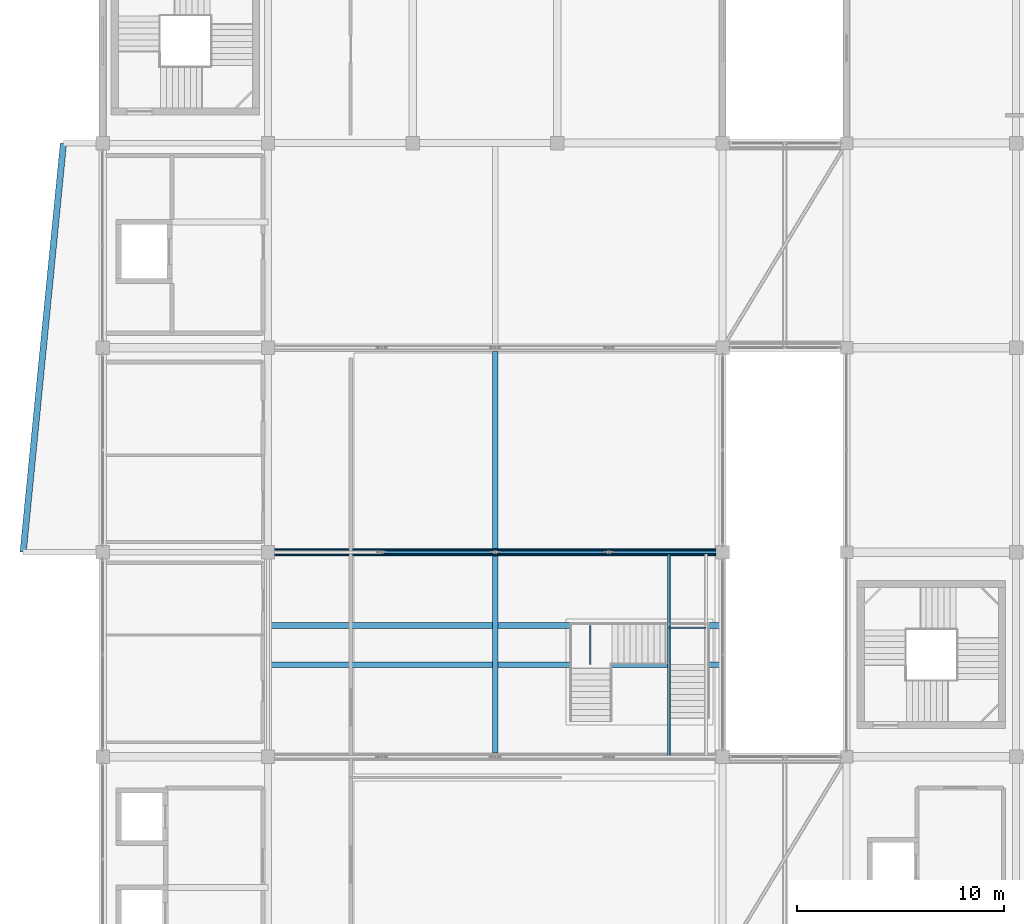
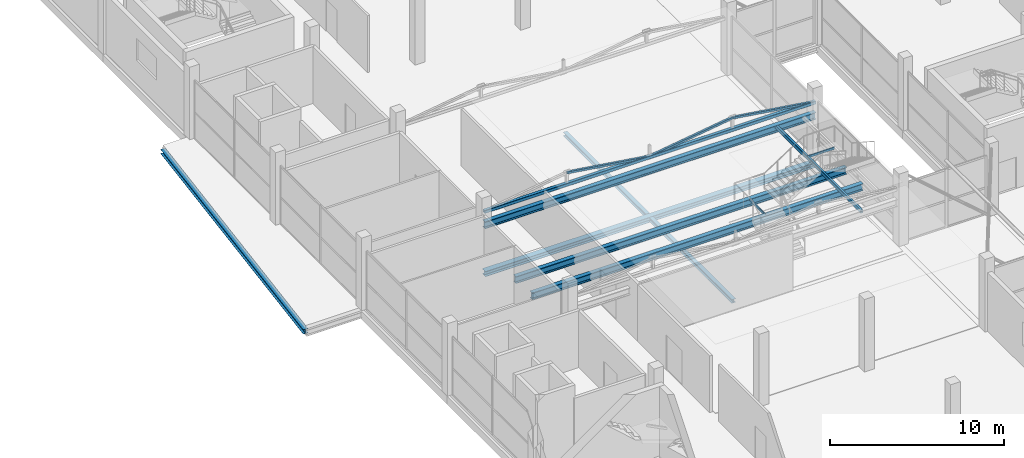
# One storey, part 24 of 66: 10 beams, 4 members.
"""IFC4 building model written with IfcOpenShell, lengths in metres."""

from ifc_helpers import new_model, si_unit, direction, frame, origin, origin_2d, place, context, subcontext, project, spatial, hollow_rectangle, i_section, extrude, material, material_profile, profile_set, type_object, element, save


model = new_model("IFC4")

# Units and contexts
model_context = context("Model", 3, precision=1e-05, world=origin(), true_north=direction((0.0, 1.0)))
body_context = subcontext(model_context, "Body", "Model", "MODEL_VIEW")
ifc_project = project(units=[si_unit("LENGTHUNIT", "METRE"), si_unit("AREAUNIT", "SQUARE_METRE"), si_unit("VOLUMEUNIT", "CUBIC_METRE"), si_unit("PLANEANGLEUNIT", "RADIAN"), si_unit("MASSUNIT", "GRAM", prefix="KILO")], contexts=[model_context])

# Site, building, storey
site_placement = place(None, origin())
site = spatial("IfcSite", under=ifc_project, at=site_placement, CompositionType="ELEMENT")
building_placement = place(site_placement, origin())
building = spatial("IfcBuilding", under=site, at=building_placement, Name="Sillaruma Civic Art Gallery", CompositionType="ELEMENT")
storey_placement = place(building_placement, frame((0.0, 0.0, 57.1201171875)))
storey = spatial("IfcBuildingStorey", under=building, at=storey_placement, Name="L11", CompositionType="ELEMENT", Elevation=57.1201171875)

# Beams
ifc_material_1 = material(Name="Structural Steel ASTM A500 Gr.C", Category="steel")
ifc_material_profile_1 = material_profile(ifc_material_1, hollow_rectangle(XDim=0.080078125, YDim=0.159912109375, WallThickness=0.008056640625, InnerFilletRadius=0.008056640625, OuterFilletRadius=0.01611328125, at=origin_2d()), Name="HSS160x80x8")
ifc_profile_set_1 = profile_set([ifc_material_profile_1], Name="Structural Steel ASTM A500 Gr.C")
beam_type_1 = type_object("IfcBeamType", Name="BM-FS-HSS160", PredefinedType="BEAM", material=ifc_profile_set_1)
beam_1_placement = place(storey_placement, frame((85.60009765625, 53.9599609375, 1.434814453125), z_axis=(0.0, 1.0, 0.0), x_axis=(-1.0, 0.0, 0.0)))
element("IfcBeam", 1, at=beam_1_placement, inside=storey, type_object=beam_type_1, Name="Feature Stair L1 Spreader (ST-G07)", PredefinedType="BEAM", context=body_context, shape_type="SweptSolid", body=[
    extrude(hollow_rectangle(XDim=0.080078125, YDim=0.159912109375, WallThickness=0.008056640625, InnerFilletRadius=0.008056640625, OuterFilletRadius=0.01611328125, at=origin_2d()), origin(), (0.0, 0.0, 1.0), 1.89013671875),
])
beam_2_placement = place(storey_placement, frame((89.39990234375, 55.75, 3.134765625), z_axis=(1.0, 0.0, 0.0), x_axis=(0.0, 1.0, 0.0)))
element("IfcBeam", 2, at=beam_2_placement, inside=storey, type_object=beam_type_1, Name="Feature Stair L2 Spreader (ST-G07)", PredefinedType="BEAM", context=body_context, shape_type="SweptSolid", body=[
    extrude(hollow_rectangle(XDim=0.080078125, YDim=0.159912109375, WallThickness=0.008056640625, InnerFilletRadius=0.008056640625, OuterFilletRadius=0.01611328125, at=origin_2d()), origin(), (0.0, 0.0, 1.0), 1.800048828125),
])
ifc_material_2 = material(Name="Structural Steel ASTM A992 Gr.50", Category="steel")
ifc_material_profile_2 = material_profile(ifc_material_2, i_section(OverallWidth=0.256103515625, OverallDepth=0.260009765625, WebThickness=0.0107421875, FlangeThickness=0.017333984375, FilletRadius=0.012939453125, at=origin_2d()), Name="W250x89")
ifc_profile_set_2 = profile_set([ifc_material_profile_2], Name="Structural Steel ASTM A992 Gr.50")
beam_type_2 = type_object("IfcBeamType", Name="BM-JOIST-W250x89", PredefinedType="JOIST", material=ifc_profile_set_2)
for number, where, z_axis, x_axis, name in (
    (3, (81.0, 49.685546875, -0.380126953125), (0.0, 1.0, 0.0), (-1.0, 0.0, 0.0), "Long-Span Gallery Joist JS-04 (L10:6-7)"),
    (4, (81.0, 59.58544921875, -0.380126953125), (0.0, 1.0, 0.0), (-1.0, 0.0, 0.0), "Long-Span Gallery Joist JS-04 (L10:7-8)"),
):
    element("IfcBeam", number, at=place(storey_placement, frame(where, z_axis=z_axis, x_axis=x_axis)), inside=storey, type_object=beam_type_2, Name=name, PredefinedType="JOIST", context=body_context, shape_type="SweptSolid", body=[
        extrude(i_section(OverallWidth=0.256103515625, OverallDepth=0.260009765625, WebThickness=0.0107421875, FlangeThickness=0.017333984375, FilletRadius=0.012939453125, at=origin_2d()), origin(), (0.0, 0.0, 1.0), 9.529052734375),
    ])
ifc_material_profile_3 = material_profile(ifc_material_1, hollow_rectangle(XDim=0.14990234375, YDim=0.25, WallThickness=0.010009765625, InnerFilletRadius=0.010009765625, OuterFilletRadius=0.02001953125, at=origin_2d()), Name="HSS250x150x10")
ifc_profile_set_3 = profile_set([ifc_material_profile_3], Name="Structural Steel ASTM A500 Gr.C")
beam_type_3 = type_object("IfcBeamType", Name="BM-LND-HSS200", PredefinedType="BEAM", material=ifc_profile_set_3)
beam_3_placement = place(storey_placement, frame((89.39990234375, 49.5, 3.08984375), z_axis=(0.0, 1.0, 0.0), x_axis=(-1.0, 0.0, 0.0)))
element("IfcBeam", 5, at=beam_3_placement, inside=storey, type_object=beam_type_3, Name="Feature Stair L2 Girder (ST-G07-1)", PredefinedType="BEAM", context=body_context, shape_type="SweptSolid", body=[
    extrude(hollow_rectangle(XDim=0.14990234375, YDim=0.25, WallThickness=0.010009765625, InnerFilletRadius=0.010009765625, OuterFilletRadius=0.02001953125, at=origin_2d()), origin(), (0.0, 0.0, 1.0), 9.89990234375),
])
ifc_material_profile_4 = material_profile(ifc_material_2, i_section(OverallWidth=0.282958984375, OverallDepth=0.489013671875, WebThickness=0.01708984375, FlangeThickness=0.030517578125, FilletRadius=0.014892578125, at=origin_2d()), Name="W460x193")
ifc_profile_set_4 = profile_set([ifc_material_profile_4], Name="Structural Steel ASTM A992 Gr.50")
beam_type_4 = type_object("IfcBeamType", Name="BM-LND-W460", PredefinedType="BEAM", material=ifc_profile_set_4)
for number, where, z_axis, x_axis, name in (
    (6, (70.0, 53.9599609375, 1.270263671875), (1.0, 0.0, 0.0), (0.0, 1.0, 0.0), "Feature Stair L1 Girder (ST-G07-1)"),
    (7, (70.0, 55.85009765625, 1.270263671875), (1.0, 0.0, 0.0), (0.0, 1.0, 0.0), "Feature Stair L1 Girder (ST-G07-2)"),
    (8, (70.0, 59.39990234375, 2.970458984375), (1.0, 0.0, 0.0), (0.0, 1.0, 0.0), "Feature Stair L2 Rail (ST-G07-N)"),
):
    element("IfcBeam", number, at=place(storey_placement, frame(where, z_axis=z_axis, x_axis=x_axis)), inside=storey, type_object=beam_type_4, Name=name, PredefinedType="BEAM", context=body_context, shape_type="SweptSolid", body=[
        extrude(i_section(OverallWidth=0.282958984375, OverallDepth=0.489013671875, WebThickness=0.01708984375, FlangeThickness=0.030517578125, FilletRadius=0.014892578125, at=origin_2d()), origin(), (0.0, 0.0, 1.0), 22.0),
    ])
ifc_material_profile_5 = material_profile(ifc_material_2, i_section(OverallWidth=0.305908203125, OverallDepth=0.31103515625, WebThickness=0.010986328125, FlangeThickness=0.01708984375, FilletRadius=0.014892578125, at=origin_2d()), Name="W310x107")
ifc_profile_set_5 = profile_set([ifc_material_profile_5], Name="Structural Steel ASTM A992 Gr.50")
beam_type_5 = type_object("IfcBeamType", Name="BM-PROW-W310x107", PredefinedType="SPANDREL", material=ifc_profile_set_5)
beam_4_placement = place(storey_placement, frame((58.14990234375, 59.39990234375, -0.405517578125), z_axis=(0.098020162744, 0.995184428986, 0.0), x_axis=(-0.995184428986, 0.098020162744, 0.0)))
element("IfcBeam", 9, at=beam_4_placement, inside=storey, type_object=beam_type_5, Name="Angled Prow Edge Spandrel (PRW-L10-W-ROF)", PredefinedType="SPANDREL", context=body_context, shape_type="SweptSolid", body=[
    extrude(i_section(OverallWidth=0.305908203125, OverallDepth=0.31103515625, WebThickness=0.010986328125, FlangeThickness=0.01708984375, FilletRadius=0.014892578125, at=origin_2d()), origin(), (0.0, 0.0, 1.0), 19.895751953125),
])
ifc_material_profile_6 = material_profile(ifc_material_2, i_section(OverallWidth=0.37109375, OverallDepth=0.364013671875, WebThickness=0.01318359375, FlangeThickness=0.021728515625, FilletRadius=0.014892578125, at=origin_2d()), Name="W360x162")
ifc_profile_set_6 = profile_set([ifc_material_profile_6], Name="Structural Steel ASTM A992 Gr.50")
beam_type_6 = type_object("IfcBeamType", Name="BM-TRTOP-W360x162", PredefinedType="BEAM", material=ifc_profile_set_6)
beam_5_placement = place(storey_placement, frame((70.0, 59.39990234375, -0.43212890625), z_axis=(1.0, 0.0, 0.0), x_axis=(0.0, 1.0, 0.0)))
element("IfcBeam", 10, at=beam_5_placement, inside=storey, type_object=beam_type_6, Name="Warren Truss Top Chord TR-L10-2", PredefinedType="BEAM", context=body_context, shape_type="SweptSolid", body=[
    extrude(i_section(OverallWidth=0.37109375, OverallDepth=0.364013671875, WebThickness=0.01318359375, FlangeThickness=0.021728515625, FilletRadius=0.014892578125, at=origin_2d()), origin(), (0.0, 0.0, 1.0), 22.0),
])

# Members
ifc_material_profile_7 = material_profile(ifc_material_1, hollow_rectangle(XDim=0.14990234375, YDim=0.14990234375, WallThickness=0.010009765625, InnerFilletRadius=0.010009765625, OuterFilletRadius=0.02001953125, at=origin_2d()), Name="HSS150x150x10")
ifc_profile_set_7 = profile_set([ifc_material_profile_7], Name="Structural Steel ASTM A500 Gr.C")
member_type_1 = type_object("IfcMemberType", Name="MEM-BRACE-HSS150x150x10", PredefinedType="BRACE", material=ifc_profile_set_7)
for number, where, z_axis, x_axis, name in (
    (11, (75.5, 59.39990234375, 4.68798828125), (0.989377720719, 0.0, -0.145367553959), (0.0, 1.0, 0.0), "Warren Truss Diagonal TR-L11-2-D2"),
    (12, (81.0, 59.39990234375, 3.8798828125), (0.989377720719, 0.0, 0.145367553959), (0.0, 1.0, 0.0), "Warren Truss Diagonal TR-L11-2-D3"),
    (13, (86.5, 59.39990234375, 4.68798828125), (0.989377720719, 0.0, -0.145367553959), (0.0, 1.0, 0.0), "Warren Truss Diagonal TR-L11-2-D4"),
):
    element("IfcMember", number, at=place(storey_placement, frame(where, z_axis=z_axis, x_axis=x_axis)), inside=storey, type_object=member_type_1, Name=name, PredefinedType="BRACE", context=body_context, shape_type="SweptSolid", body=[
        extrude(hollow_rectangle(XDim=0.14990234375, YDim=0.14990234375, WallThickness=0.010009765625, InnerFilletRadius=0.010009765625, OuterFilletRadius=0.02001953125, at=origin_2d()), origin(), (0.0, 0.0, 1.0), 5.55908203125),
    ])
ifc_material_profile_8 = material_profile(ifc_material_1, hollow_rectangle(XDim=0.219970703125, YDim=0.219970703125, WallThickness=0.012451171875, InnerFilletRadius=0.012451171875, OuterFilletRadius=0.02490234375, at=origin_2d()), Name="HSS220x220x12.5")
ifc_profile_set_8 = profile_set([ifc_material_profile_8], Name="Structural Steel ASTM A500 Gr.C")
member_type_2 = type_object("IfcMemberType", Name="MEM-CHORD-HSS220x220x12.5", PredefinedType="CHORD", material=ifc_profile_set_8)
member_placement = place(storey_placement, frame((70.0, 59.39990234375, 3.8798828125), z_axis=(1.0, 0.0, 0.0), x_axis=(0.0, 1.0, 0.0)))
element("IfcMember", 14, at=member_placement, inside=storey, type_object=member_type_2, Name="Warren Truss Bottom Chord TR-L11-2", PredefinedType="CHORD", context=body_context, shape_type="SweptSolid", body=[
    extrude(hollow_rectangle(XDim=0.219970703125, YDim=0.219970703125, WallThickness=0.012451171875, InnerFilletRadius=0.012451171875, OuterFilletRadius=0.02490234375, at=origin_2d()), origin(), (0.0, 0.0, 1.0), 22.0),
])

save(model, "model.ifc")
